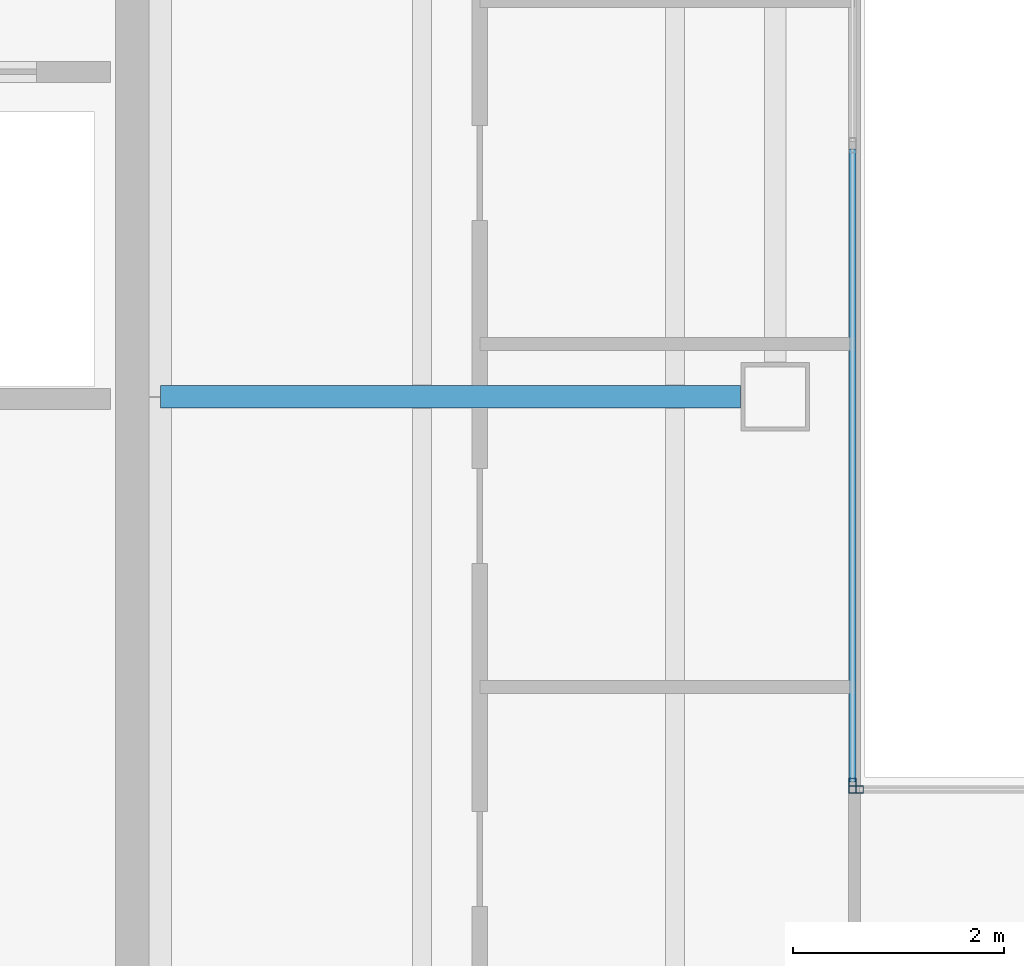
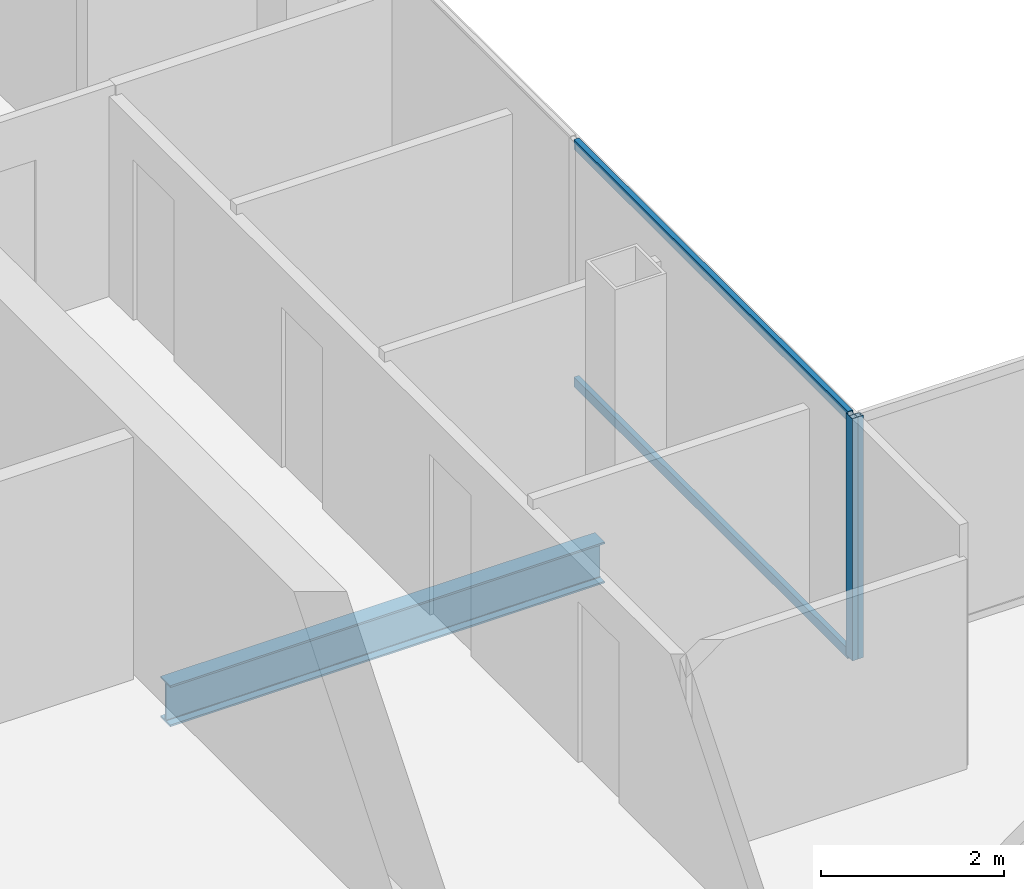
# One storey, part 8 of 23: 4 members, 1 beam, 2 elements without a shape of their own.
"""IFC4 building model written with IfcOpenShell, lengths in metres."""

from ifc_helpers import new_model, si_unit, direction, frame, origin, origin_2d, place, context, subcontext, project, spatial, hollow_rectangle, i_section, extrude, material, material_profile, profile_set, type_object, element, aggregate, save


model = new_model("IFC4")

# Units and contexts
model_context = context("Model", 3, precision=1e-05, world=origin(), true_north=direction((0.0, 1.0)))
body_context = subcontext(model_context, "Body", "Model", "MODEL_VIEW")
ifc_project = project(units=[si_unit("LENGTHUNIT", "METRE"), si_unit("AREAUNIT", "SQUARE_METRE"), si_unit("VOLUMEUNIT", "CUBIC_METRE"), si_unit("PLANEANGLEUNIT", "RADIAN"), si_unit("MASSUNIT", "GRAM", prefix="KILO")], contexts=[model_context])

# Site, building, storey
site_placement = place(None, origin())
site = spatial("IfcSite", under=ifc_project, at=site_placement, CompositionType="ELEMENT")
building_placement = place(site_placement, origin())
building = spatial("IfcBuilding", under=site, at=building_placement, Name="Cobrela Telecom Tower", CompositionType="ELEMENT")
storey_placement = place(building_placement, frame((0.0, 0.0, 269.14990234375)))
storey = spatial("IfcBuildingStorey", under=building, at=storey_placement, Name="L70", CompositionType="ELEMENT", Elevation=269.14990234375)

# Beam
ifc_material_1 = material(Name="Steel ASTM A992 Grade 50", Category="steel")
ifc_material_profile_1 = material_profile(ifc_material_1, i_section(OverallWidth=0.212890625, OverallDepth=0.549072265625, WebThickness=0.0146484375, FlangeThickness=0.023681640625, FilletRadius=0.013916015625, at=origin_2d()), Name="W21X93")
ifc_profile_set_1 = profile_set([ifc_material_profile_1], Name="Steel ASTM A992 Grade 50")
beam_type = type_object("IfcBeamType", Name="BM-GIRD-08", PredefinedType="USERDEFINED", material=ifc_profile_set_1)
beam_placement = place(storey_placement, frame((14.324951171875, 28.800048828125, -0.534423828125), z_axis=(1.0, 0.0, 0.0), x_axis=(0.0, 1.0, 0.0)))
element("IfcBeam", 1, at=beam_placement, inside=storey, type_object=beam_type, Name="L70 Primary Girder X15", ObjectType="GIRDER", PredefinedType="USERDEFINED", context=body_context, shape_type="SweptSolid", body=[
    extrude(i_section(OverallWidth=0.212890625, OverallDepth=0.549072265625, WebThickness=0.0146484375, FlangeThickness=0.023681640625, FilletRadius=0.013916015625, at=origin_2d()), origin(), (0.0, 0.0, 1.0), 5.4951171875),
])

# Curtain wall, member
ifc_material_2 = material(Name="Anodized Bronze Aluminium 6063-T6", Category="aluminium")
curtain_wall_type = type_object("IfcCurtainWallType", Name="CW-SYS-OFF-HI", PredefinedType="USERDEFINED", material=ifc_material_2)
curtain_wall_1_placement = place(storey_placement, origin())
curtain_wall_1 = element("IfcCurtainWall", 2, at=curtain_wall_1_placement, inside=storey, type_object=curtain_wall_type, Name="L70 Unitised Bronze Curtain Wall 08", ObjectType="UNITISED CURTAIN WALL", PredefinedType="USERDEFINED")
ifc_material_profile_2 = material_profile(ifc_material_2, hollow_rectangle(XDim=0.070068359375, YDim=0.139892578125, WallThickness=0.00390625, at=origin_2d()), Name="ALU 70x140x4")
ifc_profile_set_2 = profile_set([ifc_material_profile_2], Name="Anodized Bronze Aluminium 6063-T6")
member_type_1 = type_object("IfcMemberType", Name="CW-SYS-OFF-HI-MUL", PredefinedType="MULLION", material=ifc_profile_set_2)
member_1_placement = place(storey_placement, frame((20.8798828125, 25.114990234375, 0.0), z_axis=(0.0, 0.0, 1.0), x_axis=(1.0, 0.0, 0.0)))
member_1 = element("IfcMember", 3, at=member_1_placement, type_object=member_type_1, Name="CW-OFF-HI mullion 3", PredefinedType="MULLION", context=body_context, shape_type="SweptSolid", body=[
    extrude(hollow_rectangle(XDim=0.070068359375, YDim=0.139892578125, WallThickness=0.00390625, at=origin_2d()), origin(), (0.0, 0.0, 1.0), 3.239990234375),
])

curtain_wall_2_placement = place(storey_placement, origin())
curtain_wall_2 = element("IfcCurtainWall", 4, at=curtain_wall_2_placement, inside=storey, type_object=curtain_wall_type, Name="L70 Unitised Bronze Curtain Wall 09", ObjectType="UNITISED CURTAIN WALL", PredefinedType="USERDEFINED")
member_2_placement = place(storey_placement, frame((20.9150390625, 25.080078125, 0.0), z_axis=(0.0, 0.0, 1.0), x_axis=(0.0, 1.0, 0.0)))
member_2 = element("IfcMember", 5, at=member_2_placement, type_object=member_type_1, Name="CW-OFF-HI mullion 1", PredefinedType="MULLION", context=body_context, shape_type="SweptSolid", body=[
    extrude(hollow_rectangle(XDim=0.070068359375, YDim=0.139892578125, WallThickness=0.00390625, at=origin_2d()), origin(), (0.0, 0.0, 1.0), 3.239990234375),
])
aggregate(curtain_wall_2, [member_2])

# Member
ifc_material_profile_3 = material_profile(ifc_material_2, hollow_rectangle(XDim=0.06494140625, YDim=0.1298828125, WallThickness=0.00390625, at=origin_2d()), Name="ALU 65x130x4")
ifc_profile_set_3 = profile_set([ifc_material_profile_3], Name="Anodized Bronze Aluminium 6063-T6")
member_type_2 = type_object("IfcMemberType", Name="CW-SYS-OFF-HI-TRN", PredefinedType="USERDEFINED", material=ifc_profile_set_3)
member_3_placement = place(storey_placement, frame((20.8798828125, 31.14990234375, 0.03271484375), z_axis=(0.0, -1.0, 0.0), x_axis=(1.0, 0.0, 0.0)))
member_3 = element("IfcMember", 6, at=member_3_placement, type_object=member_type_2, Name="CW-OFF-HI transom 2.1", ObjectType="TRANSOM", PredefinedType="USERDEFINED", context=body_context, shape_type="SweptSolid", body=[
    extrude(hollow_rectangle(XDim=0.06494140625, YDim=0.1298828125, WallThickness=0.00390625, at=origin_2d()), origin(), (0.0, 0.0, 1.0), 6.0),
])

member_4_placement = place(storey_placement, frame((20.8798828125, 31.14990234375, 3.20751953125), z_axis=(0.0, -1.0, 0.0), x_axis=(1.0, 0.0, 0.0)))
member_4 = element("IfcMember", 7, at=member_4_placement, type_object=member_type_2, Name="CW-OFF-HI transom 2.2", ObjectType="TRANSOM", PredefinedType="USERDEFINED", context=body_context, shape_type="SweptSolid", body=[
    extrude(hollow_rectangle(XDim=0.06494140625, YDim=0.1298828125, WallThickness=0.00390625, at=origin_2d()), origin(), (0.0, 0.0, 1.0), 6.0),
])

aggregate(curtain_wall_1, [member_1, member_3, member_4])

save(model, "model.ifc")
